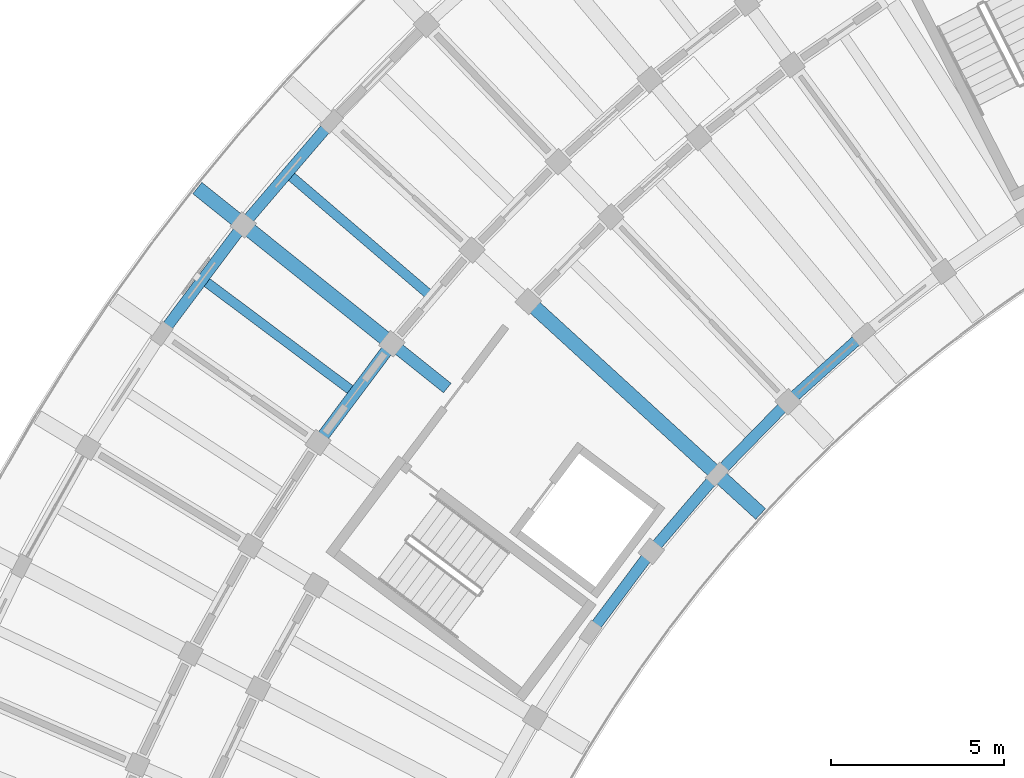
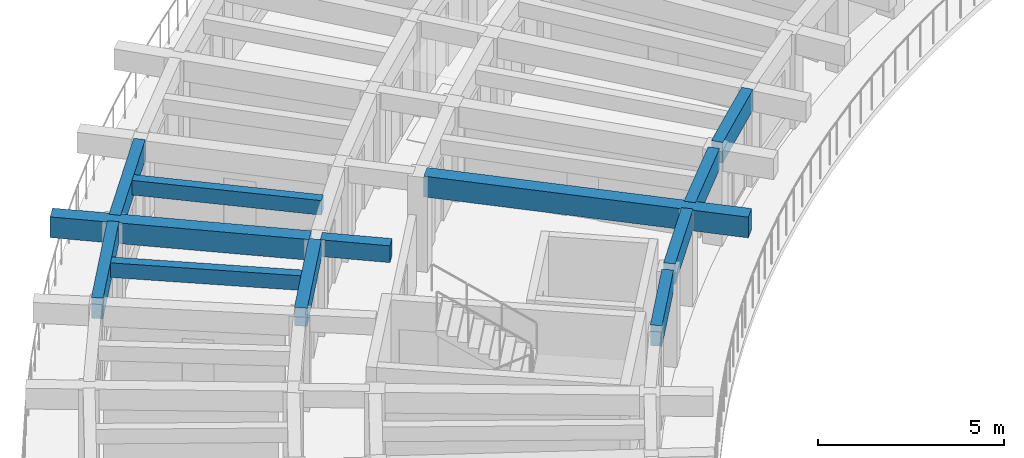
# One storey, part 15 of 96: 12 beams.
"""IFC4 building model written with IfcOpenShell, lengths in metres."""

from ifc_helpers import new_model, si_unit, direction, frame, origin, origin_2d, place, context, subcontext, project, spatial, rectangle, extrude, material, material_profile, profile_set, type_object, element, save


model = new_model("IFC4")

# Units and contexts
model_context = context("Model", 3, precision=1e-05, world=origin(), true_north=direction((0.0, 1.0)))
body_context = subcontext(model_context, "Body", "Model", "MODEL_VIEW")
ifc_project = project(units=[si_unit("LENGTHUNIT", "METRE"), si_unit("AREAUNIT", "SQUARE_METRE"), si_unit("VOLUMEUNIT", "CUBIC_METRE"), si_unit("PLANEANGLEUNIT", "RADIAN"), si_unit("MASSUNIT", "GRAM", prefix="KILO")], contexts=[model_context])

# Site, building, storey
site_placement = place(None, origin())
site = spatial("IfcSite", under=ifc_project, at=site_placement, CompositionType="ELEMENT")
building_placement = place(site_placement, origin())
building = spatial("IfcBuilding", under=site, at=building_placement, Name="Tanwirah Colonnade Gardens", CompositionType="ELEMENT")
storey_placement = place(building_placement, frame((0.0, 0.0, 12.199951171875)))
storey = spatial("IfcBuildingStorey", under=building, at=storey_placement, Name="L03", CompositionType="ELEMENT", Elevation=12.199951171875)

# Beams
ifc_material_1 = material(Name="Precast concrete C40/50", Category="concrete")
ifc_material_profile_1 = material_profile(ifc_material_1, rectangle(XDim=0.35009765625, YDim=0.550048828125, at=origin_2d()), Name="PC-BM 350x550")
ifc_profile_set_1 = profile_set([ifc_material_profile_1], Name="Precast concrete C40/50")
beam_type_1 = type_object("IfcBeamType", Name="BM-PC350A", PredefinedType="BEAM", material=ifc_profile_set_1)
beam_1_placement = place(storey_placement, frame((24.398681640625, 92.68896484375, 2.830078125), z_axis=(-0.78073089418, 0.624867402633, 0.0), x_axis=(-0.624867402633, -0.78073089418, 0.0)))
element("IfcBeam", 1, at=beam_1_placement, inside=storey, type_object=beam_type_1, Name="Block A L03 Corridor Tie Beam 12", PredefinedType="BEAM", context=body_context, shape_type="SweptSolid", body=[
    extrude(rectangle(XDim=0.35009765625, YDim=0.550048828125, at=origin_2d()), origin(), (0.0, 0.0, 1.0), 1.89990234375),
])
ifc_material_profile_2 = material_profile(ifc_material_1, rectangle(XDim=0.35009765625, YDim=0.60009765625, at=origin_2d()), Name="PC-BM 350x600")
ifc_profile_set_2 = profile_set([ifc_material_profile_2], Name="Precast concrete C40/50")
beam_type_2 = type_object("IfcBeamType", Name="BM-PC350B", PredefinedType="BEAM", material=ifc_profile_set_2)
beam_2_placement = place(storey_placement, frame((22.708251953125, 93.849609375, 2.804931640625), z_axis=(-0.59871829396, -0.800959677186, 0.0), x_axis=(0.800959677186, -0.59871829396, 0.0)))
element("IfcBeam", 2, at=beam_2_placement, inside=storey, type_object=beam_type_2, Name="Block A L03 Circumferential Beam 12-R2", PredefinedType="BEAM", context=body_context, shape_type="SweptSolid", body=[
    extrude(rectangle(XDim=0.35009765625, YDim=0.60009765625, at=origin_2d()), origin(), (0.0, 0.0, 1.0), 3.262939453125),
])
ifc_material_2 = material(Name="Precast concrete C45/55", Category="concrete")
ifc_material_profile_3 = material_profile(ifc_material_2, rectangle(XDim=0.419921875, YDim=0.679931640625, at=origin_2d()), Name="PC-BM 420x680")
ifc_profile_set_3 = profile_set([ifc_material_profile_3], Name="Precast concrete C45/55")
beam_type_3 = type_object("IfcBeamType", Name="BM-PC420", PredefinedType="BEAM", material=ifc_profile_set_3)
beam_3_placement = place(storey_placement, frame((26.848876953125, 95.091064453125, 2.76513671875), z_axis=(0.737937205818, -0.674869380154, 0.0), x_axis=(0.674869380154, 0.737937205818, 0.0)))
element("IfcBeam", 3, at=beam_3_placement, inside=storey, type_object=beam_type_3, Name="Block A L03 Inner Radial Precast Girder 11", PredefinedType="BEAM", context=body_context, shape_type="SweptSolid", body=[
    extrude(rectangle(XDim=0.419921875, YDim=0.679931640625, at=origin_2d()), origin(), (0.0, 0.0, 1.0), 8.949951171875),
])
beam_4_placement = place(storey_placement, frame((22.680908203125, 94.0634765625, 2.76513671875), z_axis=(-0.780794476885, 0.624787951921, 0.0), x_axis=(-0.624787951921, -0.780794476885, 0.0)))
element("IfcBeam", 4, at=beam_4_placement, inside=storey, type_object=beam_type_3, Name="Block A L03 Outer Radial Precast Girder 12", PredefinedType="BEAM", context=body_context, shape_type="SweptSolid", body=[
    extrude(rectangle(XDim=0.419921875, YDim=0.679931640625, at=origin_2d()), origin(), (0.0, 0.0, 1.0), 7.050048828125),
])
ifc_material_profile_4 = material_profile(ifc_material_1, rectangle(XDim=0.280029296875, YDim=0.47998046875, at=origin_2d()), Name="PC-JST 280x480")
ifc_profile_set_4 = profile_set([ifc_material_profile_4], Name="Precast concrete C40/50")
beam_type_4 = type_object("IfcBeamType", Name="JST-PC280", PredefinedType="JOIST", material=ifc_profile_set_4)
beam_5_placement = place(storey_placement, frame((23.843017578125, 95.42041015625, 2.864990234375), z_axis=(-0.759770723643, 0.65019108537, 0.0), x_axis=(-0.65019108537, -0.759770723643, 0.0)))
element("IfcBeam", 5, at=beam_5_placement, inside=storey, type_object=beam_type_4, Name="Block A L03 Precast Floor Joist 11", PredefinedType="JOIST", context=body_context, shape_type="SweptSolid", body=[
    extrude(rectangle(XDim=0.280029296875, YDim=0.47998046875, at=origin_2d()), origin(), (0.0, 0.0, 1.0), 5.26025390625),
])
beam_6_placement = place(storey_placement, frame((21.61181640625, 92.63232421875, 2.864990234375), z_axis=(-0.800973647215, 0.598699604533, 0.0), x_axis=(-0.598699604533, -0.800973647215, 0.0)))
element("IfcBeam", 6, at=beam_6_placement, inside=storey, type_object=beam_type_4, Name="Block A L03 Precast Floor Joist 12", PredefinedType="JOIST", context=body_context, shape_type="SweptSolid", body=[
    extrude(rectangle(XDim=0.280029296875, YDim=0.47998046875, at=origin_2d()), origin(), (0.0, 0.0, 1.0), 5.260009765625),
])
ifc_material_profile_5 = material_profile(ifc_material_2, rectangle(XDim=0.320068359375, YDim=0.679931640625, at=origin_2d()), Name="PC-SP 320x680")
ifc_profile_set_5 = profile_set([ifc_material_profile_5], Name="Precast concrete C45/55")
beam_type_5 = type_object("IfcBeamType", Name="SP-PC320", PredefinedType="SPANDREL", material=ifc_profile_set_5)
beam_7_placement = place(storey_placement, frame((36.31640625, 94.150634765625, 2.76513671875), z_axis=(-0.744400790288, -0.667733077972, 0.0), x_axis=(0.667733077972, -0.744400790288, 0.0)))
element("IfcBeam", 7, at=beam_7_placement, inside=storey, type_object=beam_type_5, Name="Block A L03 Circumferential Beam 9-R0", PredefinedType="SPANDREL", context=body_context, shape_type="SweptSolid", body=[
    extrude(rectangle(XDim=0.320068359375, YDim=0.679931640625, at=origin_2d()), origin(), (0.0, 0.0, 1.0), 2.63037109375),
])
beam_8_placement = place(storey_placement, frame((34.141845703125, 92.186767578125, 2.76513671875), z_axis=(-0.698844462704, -0.715273665772, 0.0), x_axis=(0.715273665772, -0.698844462704, 0.0)))
element("IfcBeam", 8, at=beam_8_placement, inside=storey, type_object=beam_type_5, Name="Block A L03 Circumferential Beam 10-R0", PredefinedType="SPANDREL", context=body_context, shape_type="SweptSolid", body=[
    extrude(rectangle(XDim=0.320068359375, YDim=0.679931640625, at=origin_2d()), origin(), (0.0, 0.0, 1.0), 2.630126953125),
])
beam_9_placement = place(storey_placement, frame((32.101318359375, 90.084228515625, 2.76513671875), z_axis=(-0.650172023628, -0.759787035749, 0.0), x_axis=(0.759787035749, -0.650172023628, 0.0)))
element("IfcBeam", 9, at=beam_9_placement, inside=storey, type_object=beam_type_5, Name="Block A L03 Circumferential Beam 11-R0", PredefinedType="SPANDREL", context=body_context, shape_type="SweptSolid", body=[
    extrude(rectangle(XDim=0.320068359375, YDim=0.679931640625, at=origin_2d()), origin(), (0.0, 0.0, 1.0), 2.63037109375),
])
beam_10_placement = place(storey_placement, frame((20.95849609375, 100.27490234375, 2.76513671875), z_axis=(-0.65013123267, -0.75982193987, 0.0), x_axis=(0.75982193987, -0.65013123267, 0.0)))
element("IfcBeam", 10, at=beam_10_placement, inside=storey, type_object=beam_type_5, Name="Block A L03 Circumferential Beam 11-R3", PredefinedType="SPANDREL", context=body_context, shape_type="SweptSolid", body=[
    extrude(rectangle(XDim=0.320068359375, YDim=0.679931640625, at=origin_2d()), origin(), (0.0, 0.0, 1.0), 3.625732421875),
])
beam_11_placement = place(storey_placement, frame((30.203857421875, 87.851806640625, 2.76513671875), z_axis=(-0.598662613551, -0.80100129534, 0.0), x_axis=(0.80100129534, -0.598662613551, 0.0)))
element("IfcBeam", 11, at=beam_11_placement, inside=storey, type_object=beam_type_5, Name="Block A L03 Circumferential Beam 12-R0", PredefinedType="SPANDREL", context=body_context, shape_type="SweptSolid", body=[
    extrude(rectangle(XDim=0.320068359375, YDim=0.679931640625, at=origin_2d()), origin(), (0.0, 0.0, 1.0), 2.63037109375),
])
beam_12_placement = place(storey_placement, frame((18.413818359375, 97.285888671875, 2.76513671875), z_axis=(-0.598695554058, -0.800976674786, 0.0), x_axis=(0.800976674786, -0.598695554058, 0.0)))
element("IfcBeam", 12, at=beam_12_placement, inside=storey, type_object=beam_type_5, Name="Block A L03 Circumferential Beam 12-R3", PredefinedType="SPANDREL", context=body_context, shape_type="SweptSolid", body=[
    extrude(rectangle(XDim=0.320068359375, YDim=0.679931640625, at=origin_2d()), origin(), (0.0, 0.0, 1.0), 3.625732421875),
])

save(model, "model.ifc")
